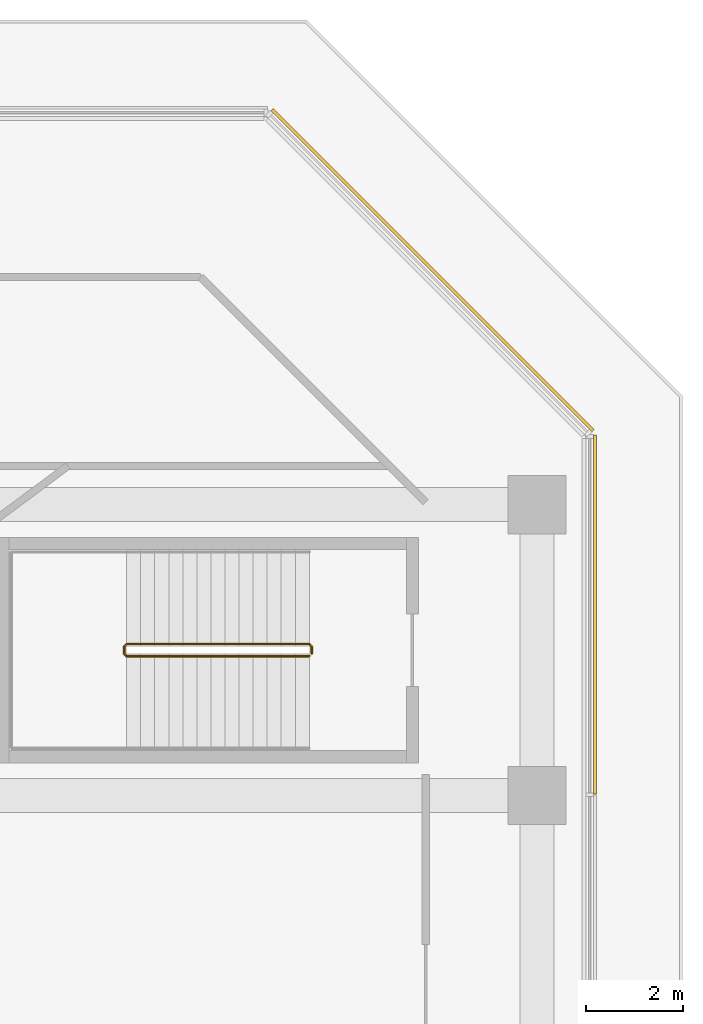
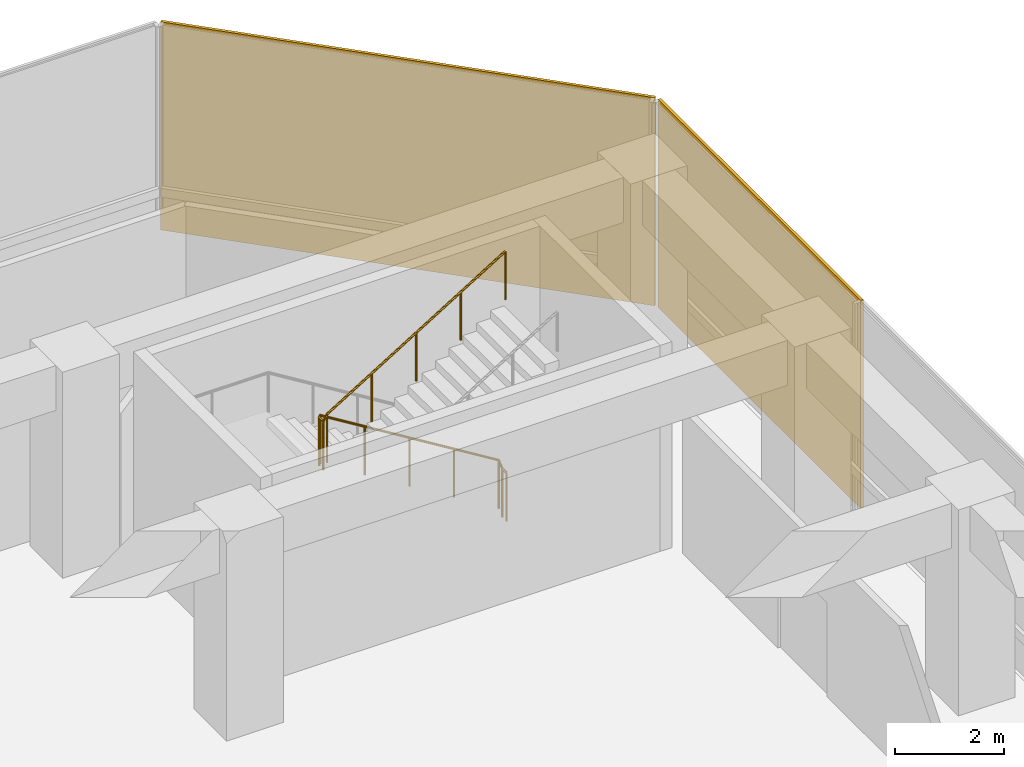
# One storey, part 40 of 40: 2 coverings, 1 railing.
"""IFC4 building model written with IfcOpenShell, lengths in metres."""

import ifcopenshell
import ifcopenshell.guid

model = None  # the IFC model being written
_history = None  # IfcOwnerHistory: only IFC2X3 demands one
_inside = {}  # id of a spatial element -> (the spatial element, [elements in it])
_under = {}  # id of a project, library or spatial element -> (it, [spatial elements below it])
_declared = {}  # id of a project -> (the project, [libraries it declares])
_typed = {}  # id of a type object -> (the type object, [elements of that type])
_made_of = {}  # id of a material, layer set ... -> (it, [elements and type objects made of it])


def new_model(schema):
    """Start an empty IFC model of exactly this schema.

    Asked for "IFC4X3", IfcOpenShell would pick the latest addendum, in which some entities
    have other attributes; the version numbers below select the first issue.
    IFC2X3 requires an IfcOwnerHistory on every rooted entity: one is made here for all.
    """
    global model, _history
    if schema == "IFC4X3":
        model = ifcopenshell.file(schema_version=(4, 3, 0, 0))
    else:
        model = ifcopenshell.file(schema=schema)
    _inside.clear()
    _under.clear()
    _declared.clear()
    _typed.clear()
    _made_of.clear()
    _history = None
    if model.schema == "IFC2X3":
        org = make("IfcOrganization", Name="unknown")
        user = make(
            "IfcPersonAndOrganization",
            ThePerson=make("IfcPerson", FamilyName="unknown"),
            TheOrganization=org,
        )
        app = make(
            "IfcApplication",
            ApplicationDeveloper=org,
            Version="unknown",
            ApplicationFullName="unknown",
            ApplicationIdentifier="unknown",
        )
        _history = make(
            "IfcOwnerHistory",
            OwningUser=user,
            OwningApplication=app,
            ChangeAction="ADDED",
            CreationDate=0,
        )
    return model


def make(cls, **values):
    """One entity of the class cls with the attributes given. An attribute that is None is left unset."""
    return model.create_entity(
        cls, **{name: value for name, value in values.items() if value is not None}
    )


def rooted(cls, **values):
    """An entity with a GlobalId (a new one), such as an element, a storey or a relation."""
    return make(cls, GlobalId=ifcopenshell.guid.new(), OwnerHistory=_history, **values)


def si_unit(unit_type, name, prefix=None):
    """IfcSIUnit, for example si_unit("LENGTHUNIT", "METRE", prefix="MILLI")."""
    return make("IfcSIUnit", UnitType=unit_type, Prefix=prefix, Name=name)


def assignment(units):
    """IfcUnitAssignment: the units of a project."""
    return None if units is None else make("IfcUnitAssignment", Units=units)


def point(xyz):
    """IfcCartesianPoint."""
    return None if xyz is None else make("IfcCartesianPoint", Coordinates=xyz)


def direction(xyz):
    """IfcDirection."""
    return None if xyz is None else make("IfcDirection", DirectionRatios=xyz)


def frame(location, z_axis=None, x_axis=None):
    """IfcAxis2Placement3D, a coordinate frame: its origin and axes. An axis left out is left unset."""
    return make(
        "IfcAxis2Placement3D",
        Location=point(location),
        Axis=direction(z_axis),
        RefDirection=direction(x_axis),
    )


def frame_2d(location, x_axis=None):
    """IfcAxis2Placement2D, a coordinate frame in the plane: its origin and x axis."""
    return make(
        "IfcAxis2Placement2D", Location=point(location), RefDirection=direction(x_axis)
    )


def origin():
    """The frame at (0, 0, 0) with its axes left unset."""
    return frame((0.0, 0.0, 0.0))


def origin_2d():
    """The frame at (0, 0) in the plane with its x axis left unset."""
    return frame_2d((0.0, 0.0))


def place(relative_to, where):
    """IfcLocalPlacement: puts the frame where relative to a parent placement (None: the world)."""
    return make(
        "IfcLocalPlacement", PlacementRelTo=relative_to, RelativePlacement=where
    )


def context(
    kind, dimensions, precision=None, world=None, true_north=None, identifier=None
):
    """IfcGeometricRepresentationContext, for example the 3D "Model" context."""
    return make(
        "IfcGeometricRepresentationContext",
        ContextIdentifier=identifier,
        ContextType=kind,
        CoordinateSpaceDimension=dimensions,
        Precision=precision,
        WorldCoordinateSystem=world,
        TrueNorth=true_north,
    )


def subcontext(parent, identifier, kind, view, scale=None):
    """IfcGeometricRepresentationSubContext, for example "Body" below "Model"."""
    return make(
        "IfcGeometricRepresentationSubContext",
        ContextIdentifier=identifier,
        ContextType=kind,
        ParentContext=parent,
        TargetScale=scale,
        TargetView=view,
    )


def project(units=None, contexts=None):
    """IfcProject with its units and contexts."""
    return rooted(
        "IfcProject",
        Name="project",
        RepresentationContexts=contexts,
        UnitsInContext=assignment(units),
    )


def spatial(cls, under=None, at=None, **own):
    """A site, building, storey or space (cls), placed at a placement, below another one or the project."""
    s = rooted(cls, ObjectPlacement=at, **own)
    if under is not None:
        _under.setdefault(under.id(), (under, []))[1].append(s)
    return s


def profile(cls, at=None, kind="AREA", **sizes):
    """A parametric profile (cls). Its sizes go by their IFC names, for example OverallWidth=200.0."""
    return make(cls, ProfileType=kind, Position=at, **sizes)


def rectangle(**sizes):
    """IfcRectangleProfileDef."""
    return profile("IfcRectangleProfileDef", **sizes)


def circle(**sizes):
    """IfcCircleProfileDef."""
    return profile("IfcCircleProfileDef", **sizes)


def extrude(swept, where, along, depth):
    """IfcExtrudedAreaSolid: the profile swept, set in the frame where, extruded along a direction by depth."""
    return make(
        "IfcExtrudedAreaSolid",
        SweptArea=swept,
        Position=where,
        ExtrudedDirection=direction(along),
        Depth=depth,
    )


def shape(context_of_items, identifier, shape_type, items):
    """IfcShapeRepresentation: the items that make up one representation, for example the "Body"."""
    return make(
        "IfcShapeRepresentation",
        ContextOfItems=context_of_items,
        RepresentationIdentifier=identifier,
        RepresentationType=shape_type,
        Items=items,
    )


def material(Name=None, Category=None):
    """IfcMaterial."""
    return make("IfcMaterial", Name=Name, Category=Category)


def layer(
    of_material, thickness, ventilated=None, Name=None, Category=None, Priority=None
):
    """IfcMaterialLayer: one layer of a wall or slab, of a material (None: an air gap)."""
    return make(
        "IfcMaterialLayer",
        Material=of_material,
        LayerThickness=thickness,
        IsVentilated=ventilated,
        Name=Name,
        Category=Category,
        Priority=Priority,
    )


def layer_set(layers, Name=None):
    """IfcMaterialLayerSet."""
    return make("IfcMaterialLayerSet", MaterialLayers=layers, LayerSetName=Name)


def made_of(thing, what):
    """Note that an element or type object is made of a material, layer set ...; save() writes the relation."""
    if what is not None:
        _made_of.setdefault(what.id(), (what, []))[1].append(thing)
    return thing


def type_object(cls, material=None, **own):
    """A type object (cls), such as IfcWallType, which elements share."""
    return made_of(rooted(cls, **own), material)


def element(
    cls,
    number,
    at=None,
    inside=None,
    cuts=None,
    type_object=None,
    material=None,
    context=None,
    identifier="Body",
    shape_type=None,
    held_by="IfcProductDefinitionShape",
    body=None,
    shapes=None,
    **own,
):
    """One element of the class cls, such as IfcWall. Its Tag is "e" and its number.

    at: its placement. inside: the storey or other place that contains it. cuts: it is an
    opening in that element (IfcRelVoidsElement). A single representation is given by context,
    identifier, shape_type and body (its items); several are given by shapes. held_by: the class
    of the entity that holds the representations. save() writes the other relations.
    """
    e = rooted(cls, Tag="e%d" % number, ObjectPlacement=at, **own)
    if body is not None:
        shapes = [shape(context, identifier, shape_type, body)]
    if shapes is not None:
        e.Representation = make(held_by, Representations=shapes)
    if inside is not None:
        _inside.setdefault(inside.id(), (inside, []))[1].append(e)
    if cuts is not None:
        rooted(
            "IfcRelVoidsElement", RelatingBuildingElement=cuts, RelatedOpeningElement=e
        )
    if type_object is not None:
        _typed.setdefault(type_object.id(), (type_object, []))[1].append(e)
    return made_of(e, material)


def aggregate(whole, parts):
    """IfcRelAggregates: a whole, such as a stair, and the parts it consists of."""
    return rooted("IfcRelAggregates", RelatingObject=whole, RelatedObjects=parts)


def save(model, path):
    """Write the relations noted so far, then the file.

    IfcRelAggregates (storeys below a building ...), IfcRelContainedInSpatialStructure (elements
    in a storey), IfcRelDefinesByType, IfcRelAssociatesMaterial and IfcRelDeclares: one each for
    every whole, place, type object, material and project.
    """
    for whole, parts in _under.values():
        aggregate(whole, parts)
    for where, things in _inside.values():
        rooted(
            "IfcRelContainedInSpatialStructure",
            RelatedElements=things,
            RelatingStructure=where,
        )
    for kind, things in _typed.values():
        rooted("IfcRelDefinesByType", RelatedObjects=things, RelatingType=kind)
    for what, things in _made_of.values():
        rooted("IfcRelAssociatesMaterial", RelatedObjects=things, RelatingMaterial=what)
    for by, libraries in _declared.values():
        rooted("IfcRelDeclares", RelatingContext=by, RelatedDefinitions=libraries)
    model.write(path)


model = new_model("IFC4")

# Units and contexts
model_context = context("Model", 3, precision=1e-05, world=origin(), true_north=direction((0.0, 1.0)))
body_context = subcontext(model_context, "Body", "Model", "MODEL_VIEW")
ifc_project = project(units=[si_unit("LENGTHUNIT", "METRE"), si_unit("AREAUNIT", "SQUARE_METRE"), si_unit("VOLUMEUNIT", "CUBIC_METRE"), si_unit("PLANEANGLEUNIT", "RADIAN"), si_unit("MASSUNIT", "GRAM", prefix="KILO")], contexts=[model_context])

# Site, building, storey
site_placement = place(None, origin())
site = spatial("IfcSite", under=ifc_project, at=site_placement, CompositionType="ELEMENT")
building_placement = place(site_placement, origin())
building = spatial("IfcBuilding", under=site, at=building_placement, Name="Welwitschia Terrace Campus", CompositionType="ELEMENT")
storey_placement = place(building_placement, frame((0.0, 0.0, 6.0)))
storey = spatial("IfcBuildingStorey", under=building, at=storey_placement, Name="L01", CompositionType="ELEMENT", Elevation=6.0)

# Coverings
ifc_material_1 = material(Name="Bronze mesh aluminium screen", Category="aluminium")
ifc_layer = layer(ifc_material_1, 0.06005859375)
ifc_layer_set = layer_set([ifc_layer], Name="Bronze mesh aluminium screen")
covering_type = type_object("IfcCoveringType", Name="Bronze screen 60", PredefinedType="USERDEFINED", material=ifc_layer_set)
covering_1_placement = place(storey_placement, frame((97.18994140625, 59.73291015625, 0.0), z_axis=(0.0, 0.0, 1.0), x_axis=(0.0, 1.0, 0.0)))
element("IfcCovering", 1, at=covering_1_placement, inside=storey, type_object=covering_type, Name="Screen L01.2.8", ObjectType="SCREEN", PredefinedType="USERDEFINED", context=body_context, shape_type="SweptSolid", body=[
    extrude(rectangle(XDim=7.4130859375, YDim=0.06005859375, at=origin_2d()), origin(), (0.0, 0.0, 1.0), 4.64990234375),
])
covering_2_placement = place(storey_placement, frame((93.841552734375, 66.841552734375, 0.0), z_axis=(0.0, 0.0, 1.0), x_axis=(-0.707106781187, 0.707106781187, 0.0)))
element("IfcCovering", 2, at=covering_2_placement, inside=storey, type_object=covering_type, Name="Screen L01.3.0", ObjectType="SCREEN", PredefinedType="USERDEFINED", context=body_context, shape_type="SweptSolid", body=[
    extrude(rectangle(XDim=9.364013671875, YDim=0.06005859375, at=origin_2d()), origin(), (0.0, 0.0, 1.0), 4.64990234375),
])

# Railing
ifc_material_2 = material(Name="Steel S355", Category="steel")
railing_type = type_object("IfcRailingType", Name="Stair guard 1100", PredefinedType="GUARDRAIL", material=ifc_material_2)
railing_placement = place(storey_placement, frame((91.35009765625, 58.925048828125, 0.0)))
element("IfcRailing", 3, at=railing_placement, inside=storey, type_object=railing_type, Name="L01 P3 stair guard", PredefinedType="GUARDRAIL", context=body_context, shape_type="SweptSolid", body=[
    extrude(circle(Radius=0.02392578125, at=origin_2d()), frame((0.0, 0.0, 1.076171875), z_axis=(0.0, 1.0, 0.0), x_axis=(-1.0, 0.0, 0.0)), (0.0, 0.0, 1.0), 0.14990234375),
    extrude(circle(Radius=0.02392578125, at=origin_2d()), frame((0.0, 0.14990234375, 1.076171875), z_axis=(-0.260684529273, 0.260684529273, 0.929562882432), x_axis=(-0.707106781187, -0.707106781187, 0.0)), (0.0, 0.0, 1.0), 0.19189453125),
    extrude(circle(Radius=0.02392578125, at=origin_2d()), frame((-0.050048828125, 0.199951171875, 1.25439453125), z_axis=(-0.851504923564, 0.0, 0.524346607834), x_axis=(0.0, -1.0, 0.0)), (0.0, 0.0, 1.0), 4.427490234375),
    extrude(circle(Radius=0.02392578125, at=origin_2d()), frame((-3.820068359375, 0.199951171875, 3.576171875), z_axis=(-0.707106781187, -0.707106781187, 0.0), x_axis=(0.707106781187, -0.707106781187, 0.0)), (0.0, 0.0, 1.0), 0.07080078125),
    extrude(circle(Radius=0.02392578125, at=origin_2d()), frame((-3.8701171875, 0.14990234375, 3.576171875), z_axis=(0.0, -1.0, 0.0), x_axis=(1.0, 0.0, 0.0)), (0.0, 0.0, 1.0), 0.14990234375),
    extrude(circle(Radius=0.02392578125, at=origin_2d()), frame((-3.8701171875, 0.0, 3.576171875), z_axis=(0.260684529273, -0.260684529273, 0.929562882432), x_axis=(0.707106781187, 0.707106781187, 0.0)), (0.0, 0.0, 1.0), 0.19189453125),
    extrude(circle(Radius=0.02392578125, at=origin_2d()), frame((-3.820068359375, -0.050048828125, 3.75439453125), z_axis=(0.851504923564, 0.0, 0.524346607834), x_axis=(0.0, 1.0, 0.0)), (0.0, 0.0, 1.0), 4.427490234375),
    extrude(circle(Radius=0.02099609375, at=origin_2d()), origin(), (0.0, 0.0, 1.0), 1.052001953125),
    extrude(circle(Radius=0.02099609375, at=origin_2d()), frame((0.0, 0.14990234375, 0.0)), (0.0, 0.0, 1.0), 1.052001953125),
    extrude(circle(Radius=0.02099609375, at=origin_2d()), frame((-0.050048828125, 0.199951171875, 0.178466796875)), (0.0, 0.0, 1.0), 1.052001953125),
    extrude(circle(Radius=0.02099609375, at=origin_2d()), frame((-0.99267578125, 0.199951171875, 0.7587890625)), (0.0, 0.0, 1.0), 1.052001953125),
    extrude(circle(Radius=0.02099609375, at=origin_2d()), frame((-1.93505859375, 0.199951171875, 1.33935546875)), (0.0, 0.0, 1.0), 1.052001953125),
    extrude(circle(Radius=0.02099609375, at=origin_2d()), frame((-2.87744140625, 0.199951171875, 1.919677734375)), (0.0, 0.0, 1.0), 1.052001953125),
    extrude(circle(Radius=0.02099609375, at=origin_2d()), frame((-3.820068359375, 0.199951171875, 2.5)), (0.0, 0.0, 1.0), 1.052001953125),
    extrude(circle(Radius=0.02099609375, at=origin_2d()), frame((-3.8701171875, 0.14990234375, 2.5)), (0.0, 0.0, 1.0), 1.052001953125),
    extrude(circle(Radius=0.02099609375, at=origin_2d()), frame((-3.8701171875, 0.0, 2.5)), (0.0, 0.0, 1.0), 1.052001953125),
    extrude(circle(Radius=0.02099609375, at=origin_2d()), frame((-3.820068359375, -0.050048828125, 2.678466796875)), (0.0, 0.0, 1.0), 1.052001953125),
    extrude(circle(Radius=0.02099609375, at=origin_2d()), frame((-2.87744140625, -0.050048828125, 3.2587890625)), (0.0, 0.0, 1.0), 1.052001953125),
    extrude(circle(Radius=0.02099609375, at=origin_2d()), frame((-1.93505859375, -0.050048828125, 3.83935546875)), (0.0, 0.0, 1.0), 1.052001953125),
    extrude(circle(Radius=0.02099609375, at=origin_2d()), frame((-0.99267578125, -0.050048828125, 4.419677734375)), (0.0, 0.0, 1.0), 1.052001953125),
    extrude(circle(Radius=0.02099609375, at=origin_2d()), frame((-0.050048828125, -0.050048828125, 5.0)), (0.0, 0.0, 1.0), 1.052001953125),
])

save(model, "model.ifc")
